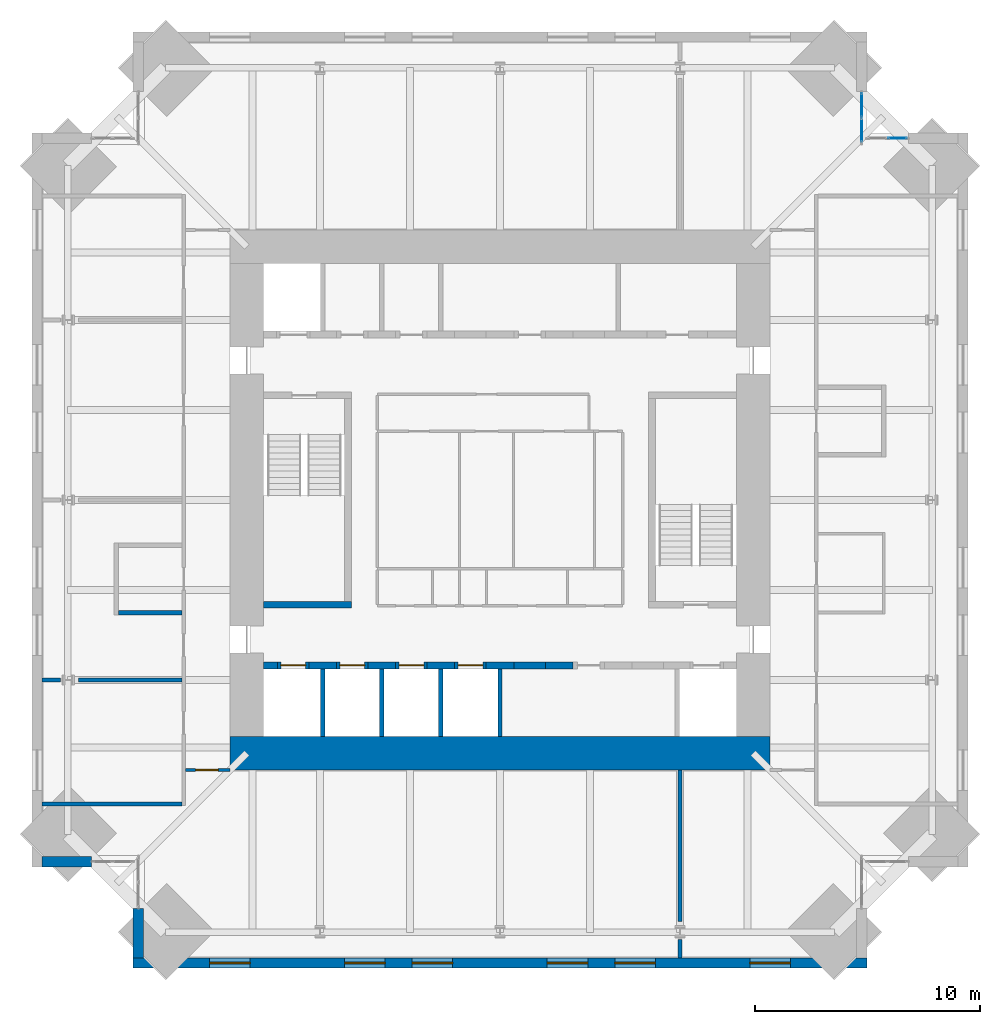
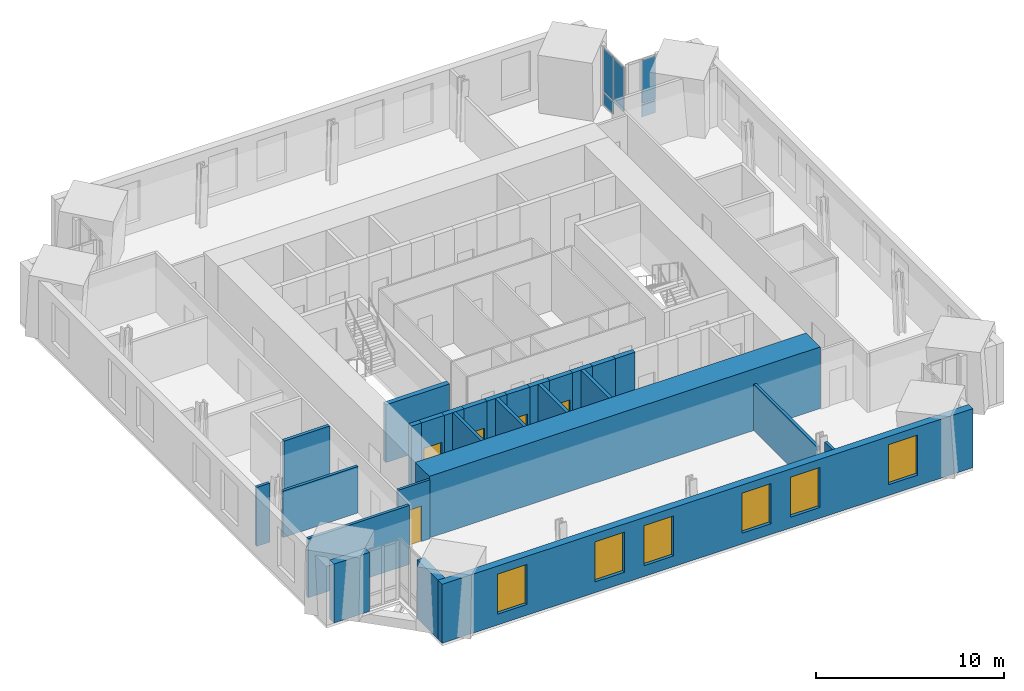
# One storey, part 10 of 15: 27 walls, 6 windows, 5 doors, 5 plates, 11 openings, 2 elements without a shape of their own.
"""IFC4 building model written with IfcOpenShell, lengths in metres."""

from ifc_helpers import new_model, si_unit, direction, frame, frame_2d, origin, origin_2d, place, context, subcontext, project, spatial, rectangle, extrude, material, layer, layer_set, type_object, element, fill, aggregate, save


model = new_model("IFC4")

# Units and contexts
model_context = context("Model", 3, precision=1e-05, world=origin(), true_north=direction((0.0, 1.0)))
body_context = subcontext(model_context, "Body", "Model", "MODEL_VIEW")
ifc_project = project(units=[si_unit("LENGTHUNIT", "METRE"), si_unit("AREAUNIT", "SQUARE_METRE"), si_unit("VOLUMEUNIT", "CUBIC_METRE"), si_unit("PLANEANGLEUNIT", "RADIAN"), si_unit("MASSUNIT", "GRAM", prefix="KILO")], contexts=[model_context])

# Site, building, storey
site_placement = place(None, origin())
site = spatial("IfcSite", under=ifc_project, at=site_placement, CompositionType="ELEMENT")
building_placement = place(site_placement, origin())
building = spatial("IfcBuilding", under=site, at=building_placement, Name="Peilmerk Tower", CompositionType="ELEMENT")
storey_placement = place(building_placement, frame((0.0, 0.0, 289.800048828125)))
storey = spatial("IfcBuildingStorey", under=building, at=storey_placement, Name="L65", CompositionType="ELEMENT", Elevation=289.800048828125)

# Curtain wall, plates
ifc_material_1 = material(Name="Aluminium stick curtain wall", Category="aluminium")
curtain_wall_type = type_object("IfcCurtainWallType", Name="CW4 stick curtain wall, 2250 module", PredefinedType="NOTDEFINED", material=ifc_material_1)
curtain_wall_1_placement = place(storey_placement, origin())
curtain_wall_1 = element("IfcCurtainWall", 1, at=curtain_wall_1_placement, inside=storey, type_object=curtain_wall_type, Name="Curtain wall CW4 NEA L65", PredefinedType="NOTDEFINED")
ifc_material_2 = material(Name="Clear insulated glazing unit", Category="glass")
ifc_layer_1 = layer(ifc_material_2, 0.028076171875)
ifc_layer_set_1 = layer_set([ifc_layer_1], Name="Clear insulated glazing unit")
plate_type = type_object("IfcPlateType", Name="CW4-P 28 glazed panel", PredefinedType="CURTAIN_PANEL", material=ifc_layer_set_1)
plate_1_placement = place(storey_placement, frame((16.074951171875, 16.4384765625, 0.932373046875), z_axis=(0.0, 0.0, 1.0), x_axis=(0.0, 1.0, 0.0)))
plate_1 = element("IfcPlate", 2, at=plate_1_placement, type_object=plate_type, Name="CW4 panel 1.2", PredefinedType="CURTAIN_PANEL", context=body_context, shape_type="SweptSolid", body=[
    extrude(rectangle(XDim=1.046875, YDim=0.028076171875, at=origin_2d()), origin(), (0.0, 0.0, 1.0), 2.83251953125),
])
plate_2_placement = place(storey_placement, frame((16.074951171875, 17.55029296875, 0.06494140625), z_axis=(0.0, 0.0, 1.0), x_axis=(0.0, 1.0, 0.0)))
plate_2 = element("IfcPlate", 3, at=plate_2_placement, type_object=plate_type, Name="CW4 panel 2.1", PredefinedType="CURTAIN_PANEL", context=body_context, shape_type="SweptSolid", body=[
    extrude(rectangle(XDim=1.046875, YDim=0.028076171875, at=origin_2d()), origin(), (0.0, 0.0, 1.0), 0.802490234375),
])
plate_3_placement = place(storey_placement, frame((16.074951171875, 17.55029296875, 0.932373046875), z_axis=(0.0, 0.0, 1.0), x_axis=(0.0, 1.0, 0.0)))
plate_3 = element("IfcPlate", 4, at=plate_3_placement, type_object=plate_type, Name="CW4 panel 2.2", PredefinedType="CURTAIN_PANEL", context=body_context, shape_type="SweptSolid", body=[
    extrude(rectangle(XDim=1.046875, YDim=0.028076171875, at=origin_2d()), origin(), (0.0, 0.0, 1.0), 2.83251953125),
])
aggregate(curtain_wall_1, [plate_1, plate_2, plate_3])

curtain_wall_2_placement = place(storey_placement, origin())
curtain_wall_2 = element("IfcCurtainWall", 5, at=curtain_wall_2_placement, inside=storey, type_object=curtain_wall_type, Name="Curtain wall CW4 NEB L65", PredefinedType="NOTDEFINED")
plate_4_placement = place(storey_placement, frame((17.662841796875, 16.074951171875, 0.06494140625), z_axis=(0.0, 0.0, 1.0), x_axis=(1.0, 0.0, 0.0)))
plate_4 = element("IfcPlate", 6, at=plate_4_placement, type_object=plate_type, Name="CW4 panel 2.1", PredefinedType="CURTAIN_PANEL", context=body_context, shape_type="SweptSolid", body=[
    extrude(rectangle(XDim=0.82177734375, YDim=0.028076171875, at=origin_2d()), origin(), (0.0, 0.0, 1.0), 0.802490234375),
])
plate_5_placement = place(storey_placement, frame((17.662841796875, 16.074951171875, 0.932373046875), z_axis=(0.0, 0.0, 1.0), x_axis=(1.0, 0.0, 0.0)))
plate_5 = element("IfcPlate", 7, at=plate_5_placement, type_object=plate_type, Name="CW4 panel 2.2", PredefinedType="CURTAIN_PANEL", context=body_context, shape_type="SweptSolid", body=[
    extrude(rectangle(XDim=0.82177734375, YDim=0.028076171875, at=origin_2d()), origin(), (0.0, 0.0, 1.0), 2.83251953125),
])
aggregate(curtain_wall_2, [plate_4, plate_5])

# Wall, openings, windows
ifc_material_3 = material(Name="Precast concrete C45/55, board-marked finish", Category="concrete")
ifc_layer_2 = layer(ifc_material_3, 0.449951171875)
ifc_layer_set_2 = layer_set([ifc_layer_2], Name="Precast concrete C45/55, board-marked finish")
wall_type_1 = type_object("IfcWallType", Name="EW1 450 precast concrete facade wall, board-marked", PredefinedType="SOLIDWALL", material=ifc_layer_set_2)
wall_1_placement = place(storey_placement, frame((-16.300048828125, -20.574951171875, 0.0), z_axis=(0.0, 0.0, 1.0), x_axis=(1.0, 0.0, 0.0)))
wall_1 = element("IfcWall", 8, at=wall_1_placement, inside=storey, type_object=wall_type_1, Name="Facade wall S L65", PredefinedType="SOLIDWALL", context=body_context, shape_type="SweptSolid", body=[
    extrude(rectangle(XDim=32.60009765625, YDim=0.449951171875, at=frame_2d((16.300048828125, 0.0))), origin(), (0.0, 0.0, 1.0), 3.829833984375),
])
opening_1_placement = place(wall_1_placement, frame((3.39990234375, 0.0, 0.699951171875)))
opening_1 = element("IfcOpeningElement", 9, at=opening_1_placement, cuts=wall_1, Name="Opening W1", PredefinedType="OPENING", context=body_context, shape_type="SweptSolid", body=[
    extrude(rectangle(XDim=1.800048828125, YDim=2.60009765625, at=frame_2d((0.89990234375, 1.300048828125))), frame((0.0, 0.23486328125, 0.0), z_axis=(0.0, -1.0, 0.0), x_axis=(1.0, 0.0, 0.0)), (0.0, 0.0, 1.0), 0.469970703125),
])
opening_2_placement = place(wall_1_placement, frame((9.39990234375, 0.0, 0.699951171875)))
opening_2 = element("IfcOpeningElement", 10, at=opening_2_placement, cuts=wall_1, Name="Opening W1", PredefinedType="OPENING", context=body_context, shape_type="SweptSolid", body=[
    extrude(rectangle(XDim=1.800048828125, YDim=2.60009765625, at=frame_2d((0.89990234375, 1.300048828125))), frame((0.0, 0.23486328125, 0.0), z_axis=(0.0, -1.0, 0.0), x_axis=(1.0, 0.0, 0.0)), (0.0, 0.0, 1.0), 0.469970703125),
])
opening_3_placement = place(wall_1_placement, frame((12.39990234375, 0.0, 0.699951171875)))
opening_3 = element("IfcOpeningElement", 11, at=opening_3_placement, cuts=wall_1, Name="Opening W1", PredefinedType="OPENING", context=body_context, shape_type="SweptSolid", body=[
    extrude(rectangle(XDim=1.800048828125, YDim=2.60009765625, at=frame_2d((0.89990234375, 1.300048828125))), frame((0.0, 0.23486328125, 0.0), z_axis=(0.0, -1.0, 0.0), x_axis=(1.0, 0.0, 0.0)), (0.0, 0.0, 1.0), 0.469970703125),
])
opening_4_placement = place(wall_1_placement, frame((18.39990234375, 0.0, 0.699951171875)))
opening_4 = element("IfcOpeningElement", 12, at=opening_4_placement, cuts=wall_1, Name="Opening W1", PredefinedType="OPENING", context=body_context, shape_type="SweptSolid", body=[
    extrude(rectangle(XDim=1.800048828125, YDim=2.60009765625, at=frame_2d((0.89990234375, 1.300048828125))), frame((0.0, 0.23486328125, 0.0), z_axis=(0.0, -1.0, 0.0), x_axis=(1.0, 0.0, 0.0)), (0.0, 0.0, 1.0), 0.469970703125),
])
opening_5_placement = place(wall_1_placement, frame((21.39990234375, 0.0, 0.699951171875)))
opening_5 = element("IfcOpeningElement", 13, at=opening_5_placement, cuts=wall_1, Name="Opening W1", PredefinedType="OPENING", context=body_context, shape_type="SweptSolid", body=[
    extrude(rectangle(XDim=1.800048828125, YDim=2.60009765625, at=frame_2d((0.89990234375, 1.300048828125))), frame((0.0, 0.23486328125, 0.0), z_axis=(0.0, -1.0, 0.0), x_axis=(1.0, 0.0, 0.0)), (0.0, 0.0, 1.0), 0.469970703125),
])
opening_6_placement = place(wall_1_placement, frame((27.39990234375, 0.0, 0.699951171875)))
opening_6 = element("IfcOpeningElement", 14, at=opening_6_placement, cuts=wall_1, Name="Opening W1", PredefinedType="OPENING", context=body_context, shape_type="SweptSolid", body=[
    extrude(rectangle(XDim=1.800048828125, YDim=2.60009765625, at=frame_2d((0.89990234375, 1.300048828125))), frame((0.0, 0.23486328125, 0.0), z_axis=(0.0, -1.0, 0.0), x_axis=(1.0, 0.0, 0.0)), (0.0, 0.0, 1.0), 0.469970703125),
])
ifc_material_4 = material(Name="Aluminium frame, clear double glazing", Category="aluminium")
window_type = type_object("IfcWindowType", Name="W1 1800x2600 office window", PartitioningType="SINGLE_PANEL", PredefinedType="WINDOW", material=ifc_material_4)
window_1_placement = place(opening_1_placement, origin())
window_1 = element("IfcWindow", 15, at=window_1_placement, inside=storey, type_object=window_type, Name="Window W1 L65", OverallHeight=2.60009765625, OverallWidth=1.800048828125, PartitioningType="SINGLE_PANEL", PredefinedType="WINDOW", context=body_context, shape_type="SweptSolid", body=[
    extrude(rectangle(XDim=1.800048828125, YDim=2.60009765625, at=frame_2d((0.89990234375, 1.300048828125))), frame((0.0, 0.030029296875, 0.0), z_axis=(0.0, -1.0, 0.0), x_axis=(1.0, 0.0, 0.0)), (0.0, 0.0, 1.0), 0.06005859375),
])
fill(opening_1, window_1)
window_2_placement = place(opening_2_placement, origin())
window_2 = element("IfcWindow", 16, at=window_2_placement, inside=storey, type_object=window_type, Name="Window W1 L65", OverallHeight=2.60009765625, OverallWidth=1.800048828125, PartitioningType="SINGLE_PANEL", PredefinedType="WINDOW", context=body_context, shape_type="SweptSolid", body=[
    extrude(rectangle(XDim=1.800048828125, YDim=2.60009765625, at=frame_2d((0.89990234375, 1.300048828125))), frame((0.0, 0.030029296875, 0.0), z_axis=(0.0, -1.0, 0.0), x_axis=(1.0, 0.0, 0.0)), (0.0, 0.0, 1.0), 0.06005859375),
])
fill(opening_2, window_2)
window_3_placement = place(opening_3_placement, origin())
window_3 = element("IfcWindow", 17, at=window_3_placement, inside=storey, type_object=window_type, Name="Window W1 L65", OverallHeight=2.60009765625, OverallWidth=1.800048828125, PartitioningType="SINGLE_PANEL", PredefinedType="WINDOW", context=body_context, shape_type="SweptSolid", body=[
    extrude(rectangle(XDim=1.800048828125, YDim=2.60009765625, at=frame_2d((0.89990234375, 1.300048828125))), frame((0.0, 0.030029296875, 0.0), z_axis=(0.0, -1.0, 0.0), x_axis=(1.0, 0.0, 0.0)), (0.0, 0.0, 1.0), 0.06005859375),
])
fill(opening_3, window_3)
window_4_placement = place(opening_4_placement, origin())
window_4 = element("IfcWindow", 18, at=window_4_placement, inside=storey, type_object=window_type, Name="Window W1 L65", OverallHeight=2.60009765625, OverallWidth=1.800048828125, PartitioningType="SINGLE_PANEL", PredefinedType="WINDOW", context=body_context, shape_type="SweptSolid", body=[
    extrude(rectangle(XDim=1.800048828125, YDim=2.60009765625, at=frame_2d((0.89990234375, 1.300048828125))), frame((0.0, 0.030029296875, 0.0), z_axis=(0.0, -1.0, 0.0), x_axis=(1.0, 0.0, 0.0)), (0.0, 0.0, 1.0), 0.06005859375),
])
fill(opening_4, window_4)
window_5_placement = place(opening_5_placement, origin())
window_5 = element("IfcWindow", 19, at=window_5_placement, inside=storey, type_object=window_type, Name="Window W1 L65", OverallHeight=2.60009765625, OverallWidth=1.800048828125, PartitioningType="SINGLE_PANEL", PredefinedType="WINDOW", context=body_context, shape_type="SweptSolid", body=[
    extrude(rectangle(XDim=1.800048828125, YDim=2.60009765625, at=frame_2d((0.89990234375, 1.300048828125))), frame((0.0, 0.030029296875, 0.0), z_axis=(0.0, -1.0, 0.0), x_axis=(1.0, 0.0, 0.0)), (0.0, 0.0, 1.0), 0.06005859375),
])
fill(opening_5, window_5)
window_6_placement = place(opening_6_placement, origin())
window_6 = element("IfcWindow", 20, at=window_6_placement, inside=storey, type_object=window_type, Name="Window W1 L65", OverallHeight=2.60009765625, OverallWidth=1.800048828125, PartitioningType="SINGLE_PANEL", PredefinedType="WINDOW", context=body_context, shape_type="SweptSolid", body=[
    extrude(rectangle(XDim=1.800048828125, YDim=2.60009765625, at=frame_2d((0.89990234375, 1.300048828125))), frame((0.0, 0.030029296875, 0.0), z_axis=(0.0, -1.0, 0.0), x_axis=(1.0, 0.0, 0.0)), (0.0, 0.0, 1.0), 0.06005859375),
])
fill(opening_6, window_6)

# Walls
for number, where, z_axis, x_axis, name in (
    (21, (-16.074951171875, -18.153564453125, 0.0), (0.0, 0.0, 1.0), (0.0, -1.0, 0.0), "Facade wall SWA L65"),
    (22, (-18.153564453125, -16.074951171875, 0.0), (0.0, 0.0, 1.0), (-1.0, 0.0, 0.0), "Facade wall SWB L65"),
):
    element("IfcWall", number, at=place(storey_placement, frame(where, z_axis=z_axis, x_axis=x_axis)), inside=storey, type_object=wall_type_1, Name=name, PredefinedType="SOLIDWALL", context=body_context, shape_type="SweptSolid", body=[
        extrude(rectangle(XDim=2.196533203125, YDim=0.449951171875, at=frame_2d((1.09814453125, 0.0))), origin(), (0.0, 0.0, 1.0), 3.829833984375),
    ])

# Wall, opening, door
ifc_material_5 = material(Name="Calcium silicate block", Category="masonry")
ifc_layer_3 = layer(ifc_material_5, 0.14990234375)
ifc_layer_set_3 = layer_set([ifc_layer_3], Name="Calcium silicate block")
wall_type_2 = type_object("IfcWallType", Name="IW1 150 corridor partition, EI 60", PredefinedType="PARTITIONING", material=ifc_layer_set_3)
wall_2_placement = place(storey_placement, frame((-12.0, -12.0, 0.0), z_axis=(0.0, 0.0, 1.0), x_axis=(-1.0, 0.0, 0.0)))
wall_2 = element("IfcWall", 23, at=wall_2_placement, inside=storey, type_object=wall_type_2, Name="Corridor wall SW L65", PredefinedType="PARTITIONING", context=body_context, shape_type="SweptSolid", body=[
    extrude(rectangle(XDim=1.97509765625, YDim=0.14990234375, at=frame_2d((0.987548828125, 0.0))), origin(), (0.0, 0.0, 1.0), 3.829833984375),
])
opening_7_placement = place(wall_2_placement, frame((0.52490234375, 0.0, 0.0)))
opening_7 = element("IfcOpeningElement", 24, at=opening_7_placement, cuts=wall_2, Name="Opening D1", PredefinedType="OPENING", context=body_context, shape_type="SweptSolid", body=[
    extrude(rectangle(XDim=1.0, YDim=2.300048828125, at=frame_2d((0.5, 1.14990234375))), frame((0.0, 0.0849609375, 0.0), z_axis=(0.0, -1.0, 0.0), x_axis=(1.0, 0.0, 0.0)), (0.0, 0.0, 1.0), 0.169921875),
])
ifc_material_6 = material(Name="Timber door in steel frame", Category="steel")
door_type_1 = type_object("IfcDoorType", Name="D1 1000x2300 room door, EI2 30", OperationType="SINGLE_SWING_LEFT", PredefinedType="DOOR", material=ifc_material_6)
door_1_placement = place(opening_7_placement, origin())
door_1 = element("IfcDoor", 25, at=door_1_placement, inside=storey, type_object=door_type_1, Name="Door Reception L65", OperationType="SINGLE_SWING_LEFT", OverallHeight=2.300048828125, OverallWidth=1.0, PredefinedType="DOOR", context=body_context, shape_type="SweptSolid", body=[
    extrude(rectangle(XDim=1.0, YDim=2.300048828125, at=frame_2d((0.5, 1.14990234375))), frame((0.0, 0.02490234375, 0.0), z_axis=(0.0, -1.0, 0.0), x_axis=(1.0, 0.0, 0.0)), (0.0, 0.0, 1.0), 0.050048828125),
])
fill(opening_7, door_1)

# Walls
ifc_layer_4 = layer(ifc_material_5, 0.199951171875)
ifc_layer_set_4 = layer_set([ifc_layer_4], Name="Calcium silicate block")
wall_type_3 = type_object("IfcWallType", Name="IW2 200 room separating wall, EI 120", PredefinedType="PARTITIONING", material=ifc_layer_set_4)
wall_3_placement = place(storey_placement, frame((-14.125, -5.0, 0.0), z_axis=(0.0, 0.0, 1.0), x_axis=(-1.0, 0.0, 0.0)))
element("IfcWall", 26, at=wall_3_placement, inside=storey, type_object=wall_type_3, Name="Room separating wall Staff room L65", PredefinedType="PARTITIONING", context=body_context, shape_type="SweptSolid", body=[
    extrude(rectangle(XDim=2.824951171875, YDim=0.199951171875, at=frame_2d((1.41259765625, 0.0))), origin(), (0.0, 0.0, 1.0), 3.829833984375),
])
ifc_material_7 = material(Name="Concrete C35/45", Category="concrete")
ifc_layer_5 = layer(ifc_material_7, 0.300048828125)
ifc_layer_set_5 = layer_set([ifc_layer_5], Name="Concrete C35/45")
wall_type_4 = type_object("IfcWallType", Name="IW3 300 concrete stair enclosure wall, EI 120", PredefinedType="SOLIDWALL", material=ifc_layer_set_5)
wall_4_placement = place(storey_placement, frame((-6.60009765625, -4.64990234375, 0.0), z_axis=(0.0, 0.0, 1.0), x_axis=(-1.0, 0.0, 0.0)))
element("IfcWall", 27, at=wall_4_placement, inside=storey, type_object=wall_type_4, Name="Stair 1 enclosure L65", PredefinedType="SOLIDWALL", context=body_context, shape_type="SweptSolid", body=[
    extrude(rectangle(XDim=3.89990234375, YDim=0.300048828125, at=frame_2d((1.949951171875, 0.0))), origin(), (0.0, 0.0, 1.0), 3.75),
])
ifc_layer_6 = layer(ifc_material_5, 0.175048828125)
ifc_layer_set_6 = layer_set([ifc_layer_6], Name="Calcium silicate block")
wall_type_5 = type_object("IfcWallType", Name="IW8 175 tenant separating wall, EI 60", PredefinedType="PARTITIONING", material=ifc_layer_set_6)
wall_5_placement = place(storey_placement, frame((-14.125, -13.5, 0.0), z_axis=(0.0, 0.0, 1.0), x_axis=(-1.0, 0.0, 0.0)))
element("IfcWall", 28, at=wall_5_placement, inside=storey, type_object=wall_type_5, Name="Tenant separating wall SW L65", PredefinedType="PARTITIONING", context=body_context, shape_type="SweptSolid", body=[
    extrude(rectangle(XDim=6.22509765625, YDim=0.175048828125, at=frame_2d((3.112548828125, 0.0))), origin(), (0.0, 0.0, 1.0), 3.829833984375),
])
wall_6_placement = place(storey_placement, frame((8.0, -12.0, 0.0), z_axis=(0.0, 0.0, 1.0), x_axis=(0.0, -1.0, 0.0)))
element("IfcWall", 29, at=wall_6_placement, inside=storey, type_object=wall_type_5, Name="Tenant separating wall S1 L65", PredefinedType="PARTITIONING", context=body_context, shape_type="SweptSolid", body=[
    extrude(rectangle(XDim=6.720458984375, YDim=0.175048828125, at=frame_2d((3.3603515625, 0.0))), origin(), (0.0, 0.0, 1.0), 3.015869140625),
])
wall_7_placement = place(storey_placement, frame((8.0, -19.541015625, 0.0), z_axis=(0.0, 0.0, 1.0), x_axis=(0.0, -1.0, 0.0)))
element("IfcWall", 30, at=wall_7_placement, inside=storey, type_object=wall_type_5, Name="Tenant separating wall S1b L65", PredefinedType="PARTITIONING", context=body_context, shape_type="SweptSolid", body=[
    extrude(rectangle(XDim=0.80908203125, YDim=0.175048828125, at=frame_2d((0.404541015625, 0.0))), origin(), (0.0, 0.0, 1.0), 3.829833984375),
])
wall_8_placement = place(storey_placement, frame((-14.125, -8.0, 0.0), z_axis=(0.0, 0.0, 1.0), x_axis=(-1.0, 0.0, 0.0)))
element("IfcWall", 31, at=wall_8_placement, inside=storey, type_object=wall_type_5, Name="Tenant separating wall W1 L65", PredefinedType="PARTITIONING", context=body_context, shape_type="SweptSolid", body=[
    extrude(rectangle(XDim=4.595458984375, YDim=0.175048828125, at=frame_2d((2.2978515625, 0.0))), origin(), (0.0, 0.0, 1.0), 3.015869140625),
])
wall_9_placement = place(storey_placement, frame((-19.541015625, -8.0, 0.0), z_axis=(0.0, 0.0, 1.0), x_axis=(-1.0, 0.0, 0.0)))
element("IfcWall", 32, at=wall_9_placement, inside=storey, type_object=wall_type_5, Name="Tenant separating wall W1b L65", PredefinedType="PARTITIONING", context=body_context, shape_type="SweptSolid", body=[
    extrude(rectangle(XDim=0.80908203125, YDim=0.175048828125, at=frame_2d((0.404541015625, 0.0))), origin(), (0.0, 0.0, 1.0), 3.829833984375),
])
ifc_layer_7 = layer(ifc_material_5, 0.199951171875)
ifc_layer_set_7 = layer_set([ifc_layer_7], Name="Calcium silicate block")
wall_type_6 = type_object("IfcWallType", Name="SH1 200 shaft dividing wall, EI 120", PredefinedType="PARTITIONING", material=ifc_layer_set_7)
for number, where, z_axis, x_axis, name in (
    (33, (-7.875, -10.5, 0.0), (0.0, 0.0, 1.0), (0.0, 1.0, 0.0), "Shaft wall S C4 L65"),
    (34, (-5.25, -10.5, 0.0), (0.0, 0.0, 1.0), (0.0, 1.0, 0.0), "Shaft wall S C3 L65"),
    (35, (-2.625, -10.5, 0.0), (0.0, 0.0, 1.0), (0.0, 1.0, 0.0), "Shaft wall S C2 L65"),
    (36, (0.0, -10.5, 0.0), (0.0, 0.0, 1.0), (0.0, 1.0, 0.0), "Shaft wall S C1 L65"),
):
    element("IfcWall", number, at=place(storey_placement, frame(where, z_axis=z_axis, x_axis=x_axis)), inside=storey, type_object=wall_type_6, Name=name, PredefinedType="PARTITIONING", context=body_context, shape_type="SweptSolid", body=[
        extrude(rectangle(XDim=3.0, YDim=0.199951171875, at=frame_2d((1.5, 0.0))), origin(), (0.0, 0.0, 1.0), 4.0),
    ])

# Wall, opening, door
ifc_layer_8 = layer(ifc_material_5, 0.300048828125)
ifc_layer_set_8 = layer_set([ifc_layer_8], Name="Calcium silicate block")
wall_type_7 = type_object("IfcWallType", Name="SH2 300 lift landing door panel, EI 120", PredefinedType="PARTITIONING", material=ifc_layer_set_8)
wall_10_placement = place(storey_placement, frame((-9.887451171875, -7.35009765625, 0.0), z_axis=(0.0, 0.0, 1.0), x_axis=(1.0, 0.0, 0.0)))
wall_10 = element("IfcWall", 37, at=wall_10_placement, inside=storey, type_object=wall_type_7, Name="Lift door panel S C4 L65", PredefinedType="PARTITIONING", context=body_context, shape_type="SweptSolid", body=[
    extrude(rectangle(XDim=1.39990234375, YDim=0.300048828125, at=frame_2d((0.699951171875, 0.0))), origin(), (0.0, 0.0, 1.0), 4.0),
])
opening_8_placement = place(wall_10_placement, frame((0.14990234375, 0.0, 0.0)))
opening_8 = element("IfcOpeningElement", 38, at=opening_8_placement, cuts=wall_10, Name="Opening LD1", PredefinedType="OPENING", context=body_context, shape_type="SweptSolid", body=[
    extrude(rectangle(XDim=1.10009765625, YDim=2.300048828125, at=frame_2d((0.550048828125, 1.14990234375))), frame((0.0, 0.159912109375, 0.0), z_axis=(0.0, -1.0, 0.0), x_axis=(1.0, 0.0, 0.0)), (0.0, 0.0, 1.0), 0.320068359375),
])
ifc_material_8 = material(Name="Stainless steel landing door", Category="steel")
door_type_2 = type_object("IfcDoorType", Name="LD1 1100x2300 lift landing door, sliding, EI2 60", OperationType="SLIDING_TO_LEFT", PredefinedType="DOOR", material=ifc_material_8)
door_2_placement = place(opening_8_placement, origin())
door_2 = element("IfcDoor", 39, at=door_2_placement, inside=storey, type_object=door_type_2, Name="Lift landing door C4 L65", OperationType="SLIDING_TO_LEFT", OverallHeight=2.300048828125, OverallWidth=1.10009765625, PredefinedType="DOOR", context=body_context, shape_type="SweptSolid", body=[
    extrude(rectangle(XDim=1.10009765625, YDim=2.300048828125, at=frame_2d((0.550048828125, 1.14990234375))), frame((0.0, 0.02490234375, 0.0), z_axis=(0.0, -1.0, 0.0), x_axis=(1.0, 0.0, 0.0)), (0.0, 0.0, 1.0), 0.050048828125),
])
fill(opening_8, door_2)

wall_11_placement = place(storey_placement, frame((-7.262451171875, -7.35009765625, 0.0), z_axis=(0.0, 0.0, 1.0), x_axis=(1.0, 0.0, 0.0)))
wall_11 = element("IfcWall", 40, at=wall_11_placement, inside=storey, type_object=wall_type_7, Name="Lift door panel S C3 L65", PredefinedType="PARTITIONING", context=body_context, shape_type="SweptSolid", body=[
    extrude(rectangle(XDim=1.39990234375, YDim=0.300048828125, at=frame_2d((0.699951171875, 0.0))), origin(), (0.0, 0.0, 1.0), 4.0),
])
opening_9_placement = place(wall_11_placement, frame((0.14990234375, 0.0, 0.0)))
opening_9 = element("IfcOpeningElement", 41, at=opening_9_placement, cuts=wall_11, Name="Opening LD1", PredefinedType="OPENING", context=body_context, shape_type="SweptSolid", body=[
    extrude(rectangle(XDim=1.10009765625, YDim=2.300048828125, at=frame_2d((0.550048828125, 1.14990234375))), frame((0.0, 0.159912109375, 0.0), z_axis=(0.0, -1.0, 0.0), x_axis=(1.0, 0.0, 0.0)), (0.0, 0.0, 1.0), 0.320068359375),
])
door_3_placement = place(opening_9_placement, origin())
door_3 = element("IfcDoor", 42, at=door_3_placement, inside=storey, type_object=door_type_2, Name="Lift landing door C3 L65", OperationType="SLIDING_TO_LEFT", OverallHeight=2.300048828125, OverallWidth=1.10009765625, PredefinedType="DOOR", context=body_context, shape_type="SweptSolid", body=[
    extrude(rectangle(XDim=1.10009765625, YDim=2.300048828125, at=frame_2d((0.550048828125, 1.14990234375))), frame((0.0, 0.02490234375, 0.0), z_axis=(0.0, -1.0, 0.0), x_axis=(1.0, 0.0, 0.0)), (0.0, 0.0, 1.0), 0.050048828125),
])
fill(opening_9, door_3)

wall_12_placement = place(storey_placement, frame((-4.637451171875, -7.35009765625, 0.0), z_axis=(0.0, 0.0, 1.0), x_axis=(1.0, 0.0, 0.0)))
wall_12 = element("IfcWall", 43, at=wall_12_placement, inside=storey, type_object=wall_type_7, Name="Lift door panel S C2 L65", PredefinedType="PARTITIONING", context=body_context, shape_type="SweptSolid", body=[
    extrude(rectangle(XDim=1.39990234375, YDim=0.300048828125, at=frame_2d((0.699951171875, 0.0))), origin(), (0.0, 0.0, 1.0), 4.0),
])
opening_10_placement = place(wall_12_placement, frame((0.14990234375, 0.0, 0.0)))
opening_10 = element("IfcOpeningElement", 44, at=opening_10_placement, cuts=wall_12, Name="Opening LD1", PredefinedType="OPENING", context=body_context, shape_type="SweptSolid", body=[
    extrude(rectangle(XDim=1.10009765625, YDim=2.300048828125, at=frame_2d((0.550048828125, 1.14990234375))), frame((0.0, 0.159912109375, 0.0), z_axis=(0.0, -1.0, 0.0), x_axis=(1.0, 0.0, 0.0)), (0.0, 0.0, 1.0), 0.320068359375),
])
door_4_placement = place(opening_10_placement, origin())
door_4 = element("IfcDoor", 45, at=door_4_placement, inside=storey, type_object=door_type_2, Name="Lift landing door C2 L65", OperationType="SLIDING_TO_LEFT", OverallHeight=2.300048828125, OverallWidth=1.10009765625, PredefinedType="DOOR", context=body_context, shape_type="SweptSolid", body=[
    extrude(rectangle(XDim=1.10009765625, YDim=2.300048828125, at=frame_2d((0.550048828125, 1.14990234375))), frame((0.0, 0.02490234375, 0.0), z_axis=(0.0, -1.0, 0.0), x_axis=(1.0, 0.0, 0.0)), (0.0, 0.0, 1.0), 0.050048828125),
])
fill(opening_10, door_4)

wall_13_placement = place(storey_placement, frame((-2.012451171875, -7.35009765625, 0.0), z_axis=(0.0, 0.0, 1.0), x_axis=(1.0, 0.0, 0.0)))
wall_13 = element("IfcWall", 46, at=wall_13_placement, inside=storey, type_object=wall_type_7, Name="Lift door panel S C1 L65", PredefinedType="PARTITIONING", context=body_context, shape_type="SweptSolid", body=[
    extrude(rectangle(XDim=1.39990234375, YDim=0.300048828125, at=frame_2d((0.699951171875, 0.0))), origin(), (0.0, 0.0, 1.0), 4.0),
])
opening_11_placement = place(wall_13_placement, frame((0.14990234375, 0.0, 0.0)))
opening_11 = element("IfcOpeningElement", 47, at=opening_11_placement, cuts=wall_13, Name="Opening LD1", PredefinedType="OPENING", context=body_context, shape_type="SweptSolid", body=[
    extrude(rectangle(XDim=1.10009765625, YDim=2.300048828125, at=frame_2d((0.550048828125, 1.14990234375))), frame((0.0, 0.159912109375, 0.0), z_axis=(0.0, -1.0, 0.0), x_axis=(1.0, 0.0, 0.0)), (0.0, 0.0, 1.0), 0.320068359375),
])
door_5_placement = place(opening_11_placement, origin())
door_5 = element("IfcDoor", 48, at=door_5_placement, inside=storey, type_object=door_type_2, Name="Lift landing door C1 L65", OperationType="SLIDING_TO_LEFT", OverallHeight=2.300048828125, OverallWidth=1.10009765625, PredefinedType="DOOR", context=body_context, shape_type="SweptSolid", body=[
    extrude(rectangle(XDim=1.10009765625, YDim=2.300048828125, at=frame_2d((0.550048828125, 1.14990234375))), frame((0.0, 0.02490234375, 0.0), z_axis=(0.0, -1.0, 0.0), x_axis=(1.0, 0.0, 0.0)), (0.0, 0.0, 1.0), 0.050048828125),
])
fill(opening_11, door_5)

# Walls
wall_14_placement = place(storey_placement, frame((0.612548828125, -7.35009765625, 0.0), z_axis=(0.0, 0.0, 1.0), x_axis=(1.0, 0.0, 0.0)))
element("IfcWall", 49, at=wall_14_placement, inside=storey, type_object=wall_type_7, Name="Lift door panel S B3 L65", PredefinedType="PARTITIONING", context=body_context, shape_type="SweptSolid", body=[
    extrude(rectangle(XDim=1.39990234375, YDim=0.300048828125, at=frame_2d((0.699951171875, 0.0))), origin(), (0.0, 0.0, 1.0), 4.0),
])
ifc_material_9 = material(Name="Concrete C55/67", Category="concrete")
ifc_layer_9 = layer(ifc_material_9, 1.5)
ifc_layer_set_9 = layer_set([ifc_layer_9], Name="Concrete C55/67")
wall_type_8 = type_object("IfcWallType", Name="SW1 1500 core wall", PredefinedType="SHEAR", material=ifc_layer_set_9)
wall_15_placement = place(storey_placement, frame((12.0, -11.25, 0.0), z_axis=(0.0, 0.0, 1.0), x_axis=(-1.0, 0.0, 0.0)))
element("IfcWall", 50, at=wall_15_placement, inside=storey, type_object=wall_type_8, Name="Core wall S L65", PredefinedType="SHEAR", context=body_context, shape_type="SweptSolid", body=[
    extrude(rectangle(XDim=24.0, YDim=1.5, at=frame_2d((12.0, 0.0))), origin(), (0.0, 0.0, 1.0), 4.0),
])
ifc_layer_10 = layer(ifc_material_9, 0.300048828125)
ifc_layer_set_10 = layer_set([ifc_layer_10], Name="Concrete C55/67")
wall_type_9 = type_object("IfcWallType", Name="SW2 300 lift bank pier", PredefinedType="SHEAR", material=ifc_layer_set_10)
wall_16_placement = place(storey_placement, frame((-10.5, -7.35009765625, 0.0), z_axis=(0.0, 0.0, 1.0), x_axis=(1.0, 0.0, 0.0)))
element("IfcWall", 51, at=wall_16_placement, inside=storey, type_object=wall_type_9, Name="Lift bank pier S L65", PredefinedType="SHEAR", context=body_context, shape_type="SweptSolid", body=[
    extrude(rectangle(XDim=0.612548828125, YDim=0.300048828125, at=frame_2d((0.30615234375, 0.0))), origin(), (0.0, 0.0, 1.0), 4.0),
])
for number, where, z_axis, x_axis, name in (
    (52, (-8.487548828125, -7.35009765625, 0.0), (0.0, 0.0, 1.0), (1.0, 0.0, 0.0), "Lift bank pier S L65"),
    (53, (-5.862548828125, -7.35009765625, 0.0), (0.0, 0.0, 1.0), (1.0, 0.0, 0.0), "Lift bank pier S L65"),
    (54, (-3.237548828125, -7.35009765625, 0.0), (0.0, 0.0, 1.0), (1.0, 0.0, 0.0), "Lift bank pier S L65"),
    (55, (-0.612548828125, -7.35009765625, 0.0), (0.0, 0.0, 1.0), (1.0, 0.0, 0.0), "Lift bank pier S L65"),
    (56, (2.012451171875, -7.35009765625, 0.0), (0.0, 0.0, 1.0), (1.0, 0.0, 0.0), "Lift bank pier S L65"),
):
    element("IfcWall", number, at=place(storey_placement, frame(where, z_axis=z_axis, x_axis=x_axis)), inside=storey, type_object=wall_type_9, Name=name, PredefinedType="SHEAR", context=body_context, shape_type="SweptSolid", body=[
        extrude(rectangle(XDim=1.22509765625, YDim=0.300048828125, at=frame_2d((0.612548828125, 0.0))), origin(), (0.0, 0.0, 1.0), 4.0),
    ])

save(model, "model.ifc")
